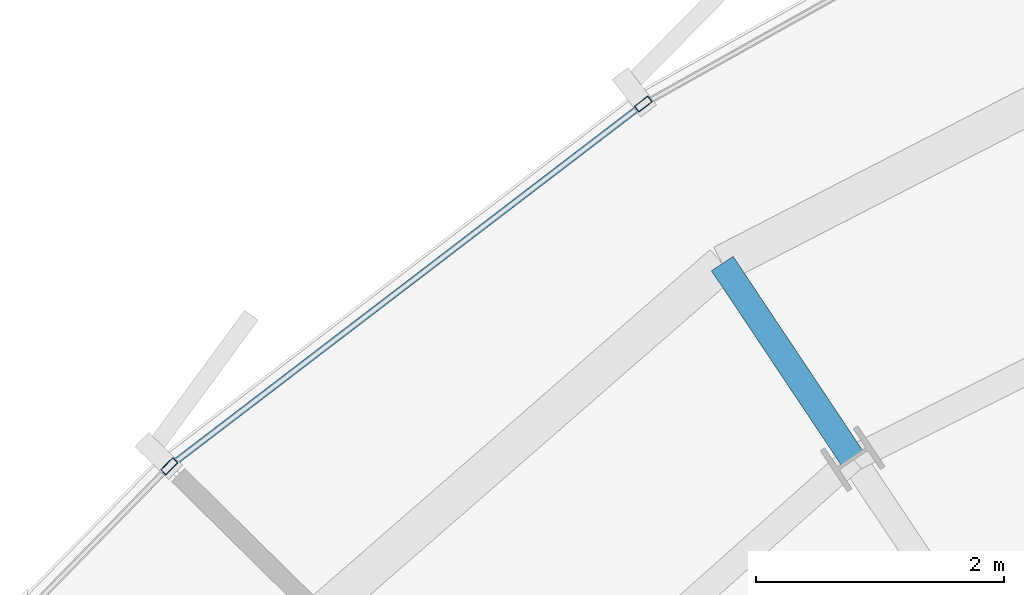
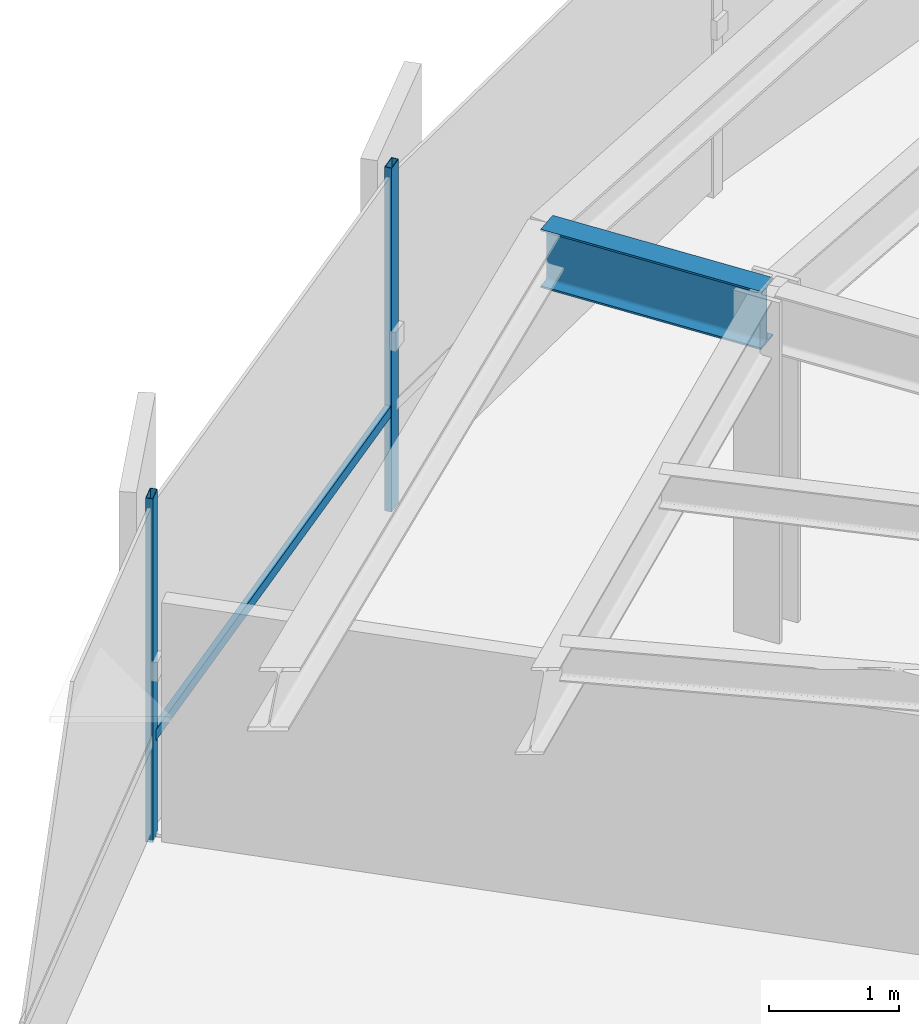
# One storey, part 20 of 35: 3 members, 1 beam, 1 element without a shape of its own.
"""IFC4 building model written with IfcOpenShell, lengths in metres."""

from ifc_helpers import new_model, si_unit, direction, frame, origin, origin_2d, place, context, subcontext, project, spatial, hollow_rectangle, i_section, extrude, source, transform, mapped, material, layer, layer_set, material_profile, profile_set, type_object, element, aggregate, save


model = new_model("IFC4")

# Units and contexts
model_context = context("Model", 3, precision=1e-05, world=origin(), true_north=direction((0.0, 1.0)))
body_context = subcontext(model_context, "Body", "Model", "MODEL_VIEW")
ifc_project = project(units=[si_unit("LENGTHUNIT", "METRE"), si_unit("AREAUNIT", "SQUARE_METRE"), si_unit("VOLUMEUNIT", "CUBIC_METRE"), si_unit("PLANEANGLEUNIT", "RADIAN"), si_unit("MASSUNIT", "GRAM", prefix="KILO"), si_unit("THERMODYNAMICTEMPERATUREUNIT", "KELVIN")], contexts=[model_context])

# Site, building, storey
site_placement = place(None, origin())
site = spatial("IfcSite", under=ifc_project, at=site_placement, CompositionType="ELEMENT")
building_placement = place(site_placement, origin())
building = spatial("IfcBuilding", under=site, at=building_placement, Name="Kethvar Cultural Tower", CompositionType="ELEMENT")
storey_placement = place(building_placement, frame((0.0, 0.0, 167.85009765625)))
storey = spatial("IfcBuildingStorey", under=building, at=storey_placement, Name="L43", CompositionType="ELEMENT", Elevation=167.85009765625)

# Beam
ifc_material_1 = material(Name="Steel S355J2", Category="steel")
ifc_material_profile_1 = material_profile(ifc_material_1, i_section(OverallWidth=0.2099609375, OverallDepth=0.550048828125, WebThickness=0.010986328125, FlangeThickness=0.01708984375, FilletRadius=0.02392578125, at=origin_2d()), Name="Steel S355J2 — IPE550")
ifc_profile_set_1 = profile_set([ifc_material_profile_1], Name="Steel S355J2 — IPE550")
beam_type = type_object("IfcBeamType", Name="BM-IPE550", PredefinedType="BEAM", material=ifc_profile_set_1)
shared_shape_1 = source(origin(), body_context, "Body", "SweptSolid", [
    extrude(i_section(OverallWidth=0.2099609375, OverallDepth=0.550048828125, WebThickness=0.010986328125, FlangeThickness=0.01708984375, FilletRadius=0.02392578125, at=origin_2d()), origin(), (0.0, 0.0, 1.0), 1.89501953125),
])
beam_placement = place(storey_placement, frame((36.0576171875, 43.877197265625, 2.962890625), z_axis=(-0.555532384709, 0.831494900489, 0.0), x_axis=(-0.831494900489, -0.555532384709, 0.0)))
element("IfcBeam", 1, at=beam_placement, inside=storey, type_object=beam_type, Name="L43 Perimeter Cantilever Beam RC-06", PredefinedType="BEAM", context=body_context, shape_type="MappedRepresentation", body=[
    mapped(shared_shape_1, transform((0.0, 0.0, 0.0), scale=1.0)),
])

# Curtain wall, members
ifc_material_2 = material(Name="Aluminium 6063-T6", Category="aluminium")
ifc_layer = layer(ifc_material_2, 0.179931640625, Name="Aluminium 6063-T6", Category="aluminium")
ifc_layer_set = layer_set([ifc_layer], Name="Aluminium 6063-T6 (180 mm)")
curtain_wall_type = type_object("IfcCurtainWallType", Name="CW-SYS-04-Z34", PredefinedType="NOTDEFINED", material=ifc_layer_set)
curtain_wall_placement = place(storey_placement, origin())
curtain_wall = element("IfcCurtainWall", 2, at=curtain_wall_placement, inside=storey, type_object=curtain_wall_type, Name="L43 Curtain Wall Run 02", PredefinedType="NOTDEFINED")
ifc_material_profile_2 = material_profile(ifc_material_2, hollow_rectangle(XDim=0.06005859375, YDim=0.139892578125, WallThickness=0.0048828125, at=origin_2d()), Name="Aluminium 6063-T6 — RHS140x60x5")
ifc_profile_set_2 = profile_set([ifc_material_profile_2], Name="Aluminium 6063-T6 — RHS140x60x5")
member_type_1 = type_object("IfcMemberType", Name="CW-SYS-04-Z34-MUL", PredefinedType="MULLION", material=ifc_profile_set_2)
shared_shape_2 = source(origin(), body_context, "Body", "SweptSolid", [
    extrude(hollow_rectangle(XDim=0.06005859375, YDim=0.139892578125, WallThickness=0.0048828125, at=origin_2d()), origin(), (0.0, 0.0, 1.0), 3.239990234375),
])
member_1_placement = place(storey_placement, frame((34.36669921875, 46.7421875, 0.0), z_axis=(0.0, 0.0, 1.0), x_axis=(0.607403569655, -0.794393418635, 0.0)))
member_1 = element("IfcMember", 3, at=member_1_placement, type_object=member_type_1, Name="CW-L43-R02 Mullion 4", PredefinedType="MULLION", context=body_context, shape_type="MappedRepresentation", body=[
    mapped(shared_shape_2, transform((0.0, 0.0, 0.0), scale=1.0)),
])
member_2_placement = place(storey_placement, frame((30.53759765625, 43.81591796875, 0.0), z_axis=(0.0, 0.0, 1.0), x_axis=(0.715558634406, -0.6985526757, 0.0)))
member_2 = element("IfcMember", 4, at=member_2_placement, type_object=member_type_1, Name="CW-L43-R02 Mullion 5", PredefinedType="MULLION", context=body_context, shape_type="MappedRepresentation", body=[
    mapped(shared_shape_2, transform((0.0, 0.0, 0.0), scale=1.0)),
])
ifc_material_profile_3 = material_profile(ifc_material_2, hollow_rectangle(XDim=0.050048828125, YDim=0.10009765625, WallThickness=0.00390625, at=origin_2d()), Name="Aluminium 6063-T6 — RHS100x50x4")
ifc_profile_set_3 = profile_set([ifc_material_profile_3], Name="Aluminium 6063-T6 — RHS100x50x4")
member_type_2 = type_object("IfcMemberType", Name="CW-SYS-04-Z34-TRN", PredefinedType="USERDEFINED", material=ifc_profile_set_3)
shared_shape_3 = source(origin(), body_context, "Body", "SweptSolid", [
    extrude(hollow_rectangle(XDim=0.050048828125, YDim=0.10009765625, WallThickness=0.00390625, at=origin_2d()), origin(), (0.0, 0.0, 1.0), 4.748779296875),
])
member_3_placement = place(storey_placement, frame((34.33251953125, 46.7158203125, 0.949951171875), z_axis=(-0.79441328244, -0.607377589875, 0.0), x_axis=(0.607377589875, -0.79441328244, 0.0)))
member_3 = element("IfcMember", 5, at=member_3_placement, type_object=member_type_2, Name="CW-L43-R02 Transom 4", ObjectType="TRANSOM", PredefinedType="USERDEFINED", context=body_context, shape_type="MappedRepresentation", body=[
    mapped(shared_shape_3, transform((0.0, 0.0, 0.0), scale=1.0)),
])
aggregate(curtain_wall, [member_1, member_2, member_3])

save(model, "model.ifc")
